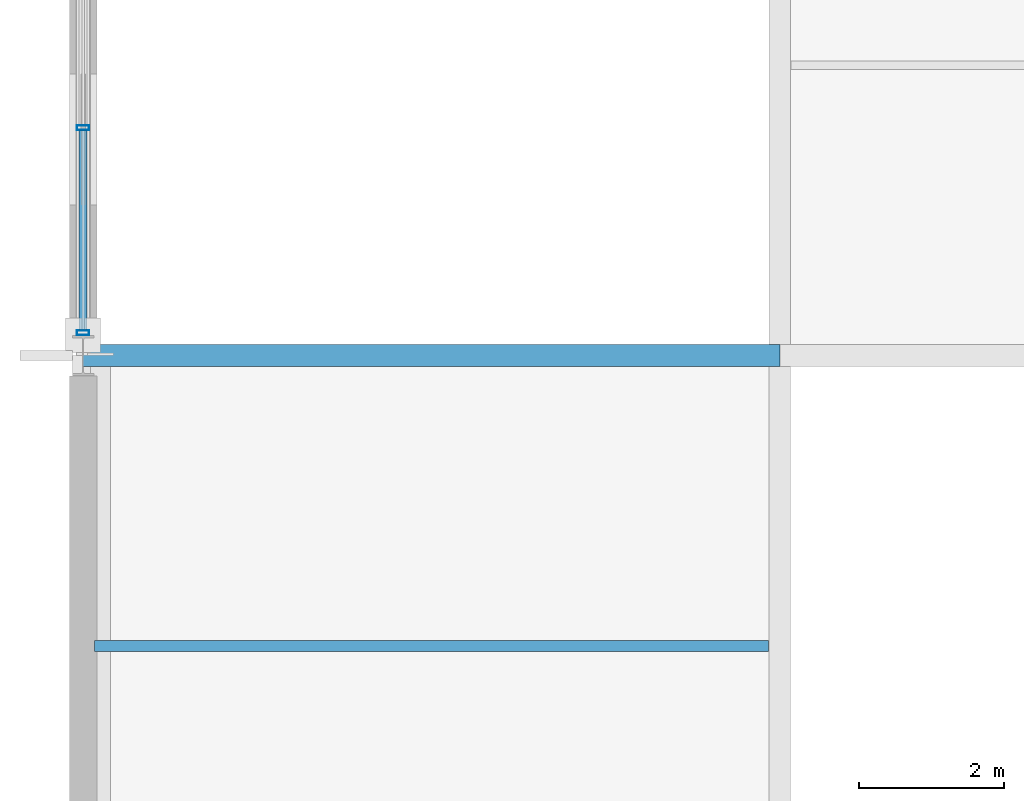
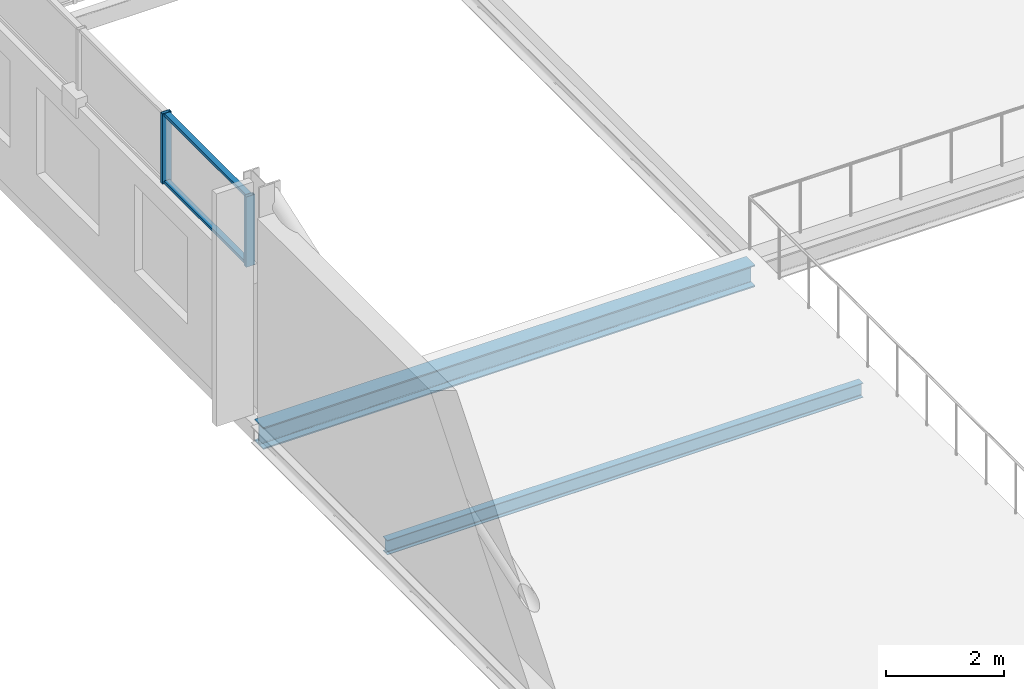
# One storey, part 76 of 159: 4 members, 2 beams, 1 element without a shape of its own.
"""IFC4 building model written with IfcOpenShell, lengths in metres."""

from ifc_helpers import new_model, si_unit, direction, frame, origin, origin_2d, place, context, subcontext, project, spatial, hollow_rectangle, i_section, extrude, material, material_profile, profile_set, type_object, element, aggregate, save


model = new_model("IFC4")

# Units and contexts
model_context = context("Model", 3, precision=1e-05, world=origin(), true_north=direction((0.0, 1.0)))
body_context = subcontext(model_context, "Body", "Model", "MODEL_VIEW")
ifc_project = project(units=[si_unit("LENGTHUNIT", "METRE"), si_unit("AREAUNIT", "SQUARE_METRE"), si_unit("VOLUMEUNIT", "CUBIC_METRE"), si_unit("PLANEANGLEUNIT", "RADIAN"), si_unit("MASSUNIT", "GRAM", prefix="KILO")], contexts=[model_context])

# Site, building, storey
site_placement = place(None, origin())
site = spatial("IfcSite", under=ifc_project, at=site_placement, CompositionType="ELEMENT")
building_placement = place(site_placement, origin())
building = spatial("IfcBuilding", under=site, at=building_placement, Name="Merenkruunu Market Hall", CompositionType="ELEMENT")
storey_placement = place(building_placement, frame((0.0, 0.0, 5.39990234375)))
storey = spatial("IfcBuildingStorey", under=building, at=storey_placement, Name="L01", CompositionType="ELEMENT", Elevation=5.39990234375)

# Curtain wall, members
ifc_material_1 = material(Name="Powder-coated aluminium", Category="aluminium")
curtain_wall_type = type_object("IfcCurtainWallType", Name="Clerestory Curtain Band CL01", PredefinedType="USERDEFINED", material=ifc_material_1)
curtain_wall_placement = place(storey_placement, origin())
curtain_wall = element("IfcCurtainWall", 1, at=curtain_wall_placement, inside=storey, type_object=curtain_wall_type, Name="CW-L01-CWM04-017", ObjectType="CLERESTORY_BAND", PredefinedType="USERDEFINED")
ifc_material_profile_1 = material_profile(ifc_material_1, hollow_rectangle(XDim=0.070068359375, YDim=0.169921875, WallThickness=0.0048828125, at=origin_2d()), Name="ALU 70x170x5")
ifc_profile_set_1 = profile_set([ifc_material_profile_1], Name="Powder-coated aluminium")
member_type_1 = type_object("IfcMemberType", Name="Curtain Wall Mullion CWM04", PredefinedType="MULLION", material=ifc_profile_set_1)
member_1_placement = place(storey_placement, frame((0.0, 99.9150390625, 2.800048828125), z_axis=(0.0, 0.0, 1.0), x_axis=(0.0, 1.0, 0.0)))
member_1 = element("IfcMember", 2, at=member_1_placement, type_object=member_type_1, Name="CL01 mullion 1", PredefinedType="MULLION", context=body_context, shape_type="SweptSolid", body=[
    extrude(hollow_rectangle(XDim=0.070068359375, YDim=0.169921875, WallThickness=0.0048828125, at=origin_2d()), origin(), (0.0, 0.0, 1.0), 1.449951171875),
])
member_2_placement = place(storey_placement, frame((0.0, 102.739990234375, 2.800048828125), z_axis=(0.0, 0.0, 1.0), x_axis=(0.0, 1.0, 0.0)))
member_2 = element("IfcMember", 3, at=member_2_placement, type_object=member_type_1, Name="CL01 mullion 2", PredefinedType="MULLION", context=body_context, shape_type="SweptSolid", body=[
    extrude(hollow_rectangle(XDim=0.070068359375, YDim=0.169921875, WallThickness=0.0048828125, at=origin_2d()), origin(), (0.0, 0.0, 1.0), 1.449951171875),
])
ifc_material_profile_2 = material_profile(ifc_material_1, hollow_rectangle(XDim=0.06005859375, YDim=0.110107421875, WallThickness=0.00390625, at=origin_2d()), Name="ALU 60x110x4")
ifc_profile_set_2 = profile_set([ifc_material_profile_2], Name="Powder-coated aluminium")
member_type_2 = type_object("IfcMemberType", Name="Curtain Wall Transom CWT03", PredefinedType="USERDEFINED", material=ifc_profile_set_2)
member_3_placement = place(storey_placement, frame((0.0, 99.949951171875, 2.830078125), z_axis=(0.0, 1.0, 0.0), x_axis=(0.0, 0.0, 1.0)))
member_3 = element("IfcMember", 4, at=member_3_placement, type_object=member_type_2, Name="CL01 transom 1.1", ObjectType="TRANSOM", PredefinedType="USERDEFINED", context=body_context, shape_type="SweptSolid", body=[
    extrude(hollow_rectangle(XDim=0.06005859375, YDim=0.110107421875, WallThickness=0.00390625, at=origin_2d()), origin(), (0.0, 0.0, 1.0), 2.755126953125),
])
member_4_placement = place(storey_placement, frame((0.0, 99.949951171875, 4.22021484375), z_axis=(0.0, 1.0, 0.0), x_axis=(0.0, 0.0, 1.0)))
member_4 = element("IfcMember", 5, at=member_4_placement, type_object=member_type_2, Name="CL01 transom 1.2", ObjectType="TRANSOM", PredefinedType="USERDEFINED", context=body_context, shape_type="SweptSolid", body=[
    extrude(hollow_rectangle(XDim=0.06005859375, YDim=0.110107421875, WallThickness=0.00390625, at=origin_2d()), origin(), (0.0, 0.0, 1.0), 2.755126953125),
])
aggregate(curtain_wall, [member_1, member_2, member_3, member_4])

# Beams
ifc_material_2 = material(Name="Steel S355J2", Category="steel")
ifc_material_profile_3 = material_profile(ifc_material_2, i_section(OverallWidth=0.300048828125, OverallDepth=0.449951171875, WebThickness=0.013916015625, FlangeThickness=0.02587890625, FilletRadius=0.027099609375, at=origin_2d()), Name="HEB 450")
ifc_profile_set_3 = profile_set([ifc_material_profile_3], Name="Steel S355J2")
beam_type_1 = type_object("IfcBeamType", Name="Primary Floor Girder B03", PredefinedType="BEAM", material=ifc_profile_set_3)
beam_1_placement = place(storey_placement, frame((0.0, 99.60009765625, -0.5048828125), z_axis=(1.0, 0.0, 0.0), x_axis=(0.0, 1.0, 0.0)))
element("IfcBeam", 6, at=beam_1_placement, inside=storey, type_object=beam_type_1, Name="BM-L01-B03-0539", PredefinedType="BEAM", context=body_context, shape_type="SweptSolid", body=[
    extrude(i_section(OverallWidth=0.300048828125, OverallDepth=0.449951171875, WebThickness=0.013916015625, FlangeThickness=0.02587890625, FilletRadius=0.027099609375, at=origin_2d()), origin(), (0.0, 0.0, 1.0), 9.60009765625),
])
ifc_material_profile_4 = material_profile(ifc_material_2, i_section(OverallWidth=0.14990234375, OverallDepth=0.300048828125, WebThickness=0.007080078125, FlangeThickness=0.0107421875, FilletRadius=0.014892578125, at=origin_2d()), Name="IPE 300")
ifc_profile_set_4 = profile_set([ifc_material_profile_4], Name="Steel S355J2")
beam_type_2 = type_object("IfcBeamType", Name="Secondary Floor Joist J04", PredefinedType="JOIST", material=ifc_profile_set_4)
beam_2_placement = place(storey_placement, frame((0.153076171875, 95.60009765625, -0.429931640625), z_axis=(1.0, 0.0, 0.0), x_axis=(0.0, 1.0, 0.0)))
element("IfcBeam", 7, at=beam_2_placement, inside=storey, type_object=beam_type_2, Name="BM-L01-J04-0659", PredefinedType="JOIST", context=body_context, shape_type="SweptSolid", body=[
    extrude(i_section(OverallWidth=0.14990234375, OverallDepth=0.300048828125, WebThickness=0.007080078125, FlangeThickness=0.0107421875, FilletRadius=0.014892578125, at=origin_2d()), origin(), (0.0, 0.0, 1.0), 9.2939453125),
])

save(model, "model.ifc")
